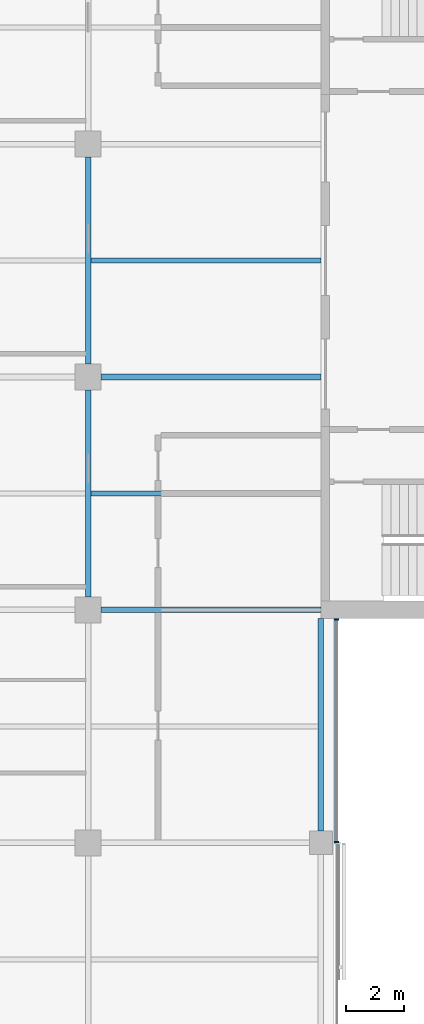
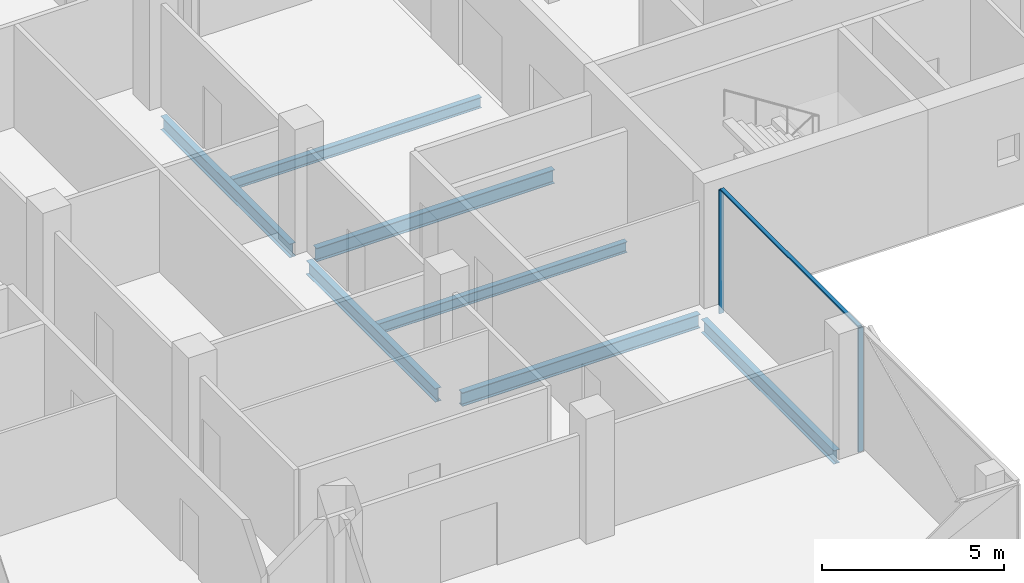
# One storey, part 4 of 16: 7 beams, 3 members, 1 element without a shape of its own.
"""IFC4 building model written with IfcOpenShell, lengths in metres."""

from ifc_helpers import new_model, si_unit, direction, frame, origin, origin_2d, place, context, subcontext, project, spatial, rectangle, i_section, extrude, material, material_profile, profile_set, type_object, element, aggregate, save


model = new_model("IFC4")

# Units and contexts
model_context = context("Model", 3, precision=1e-05, world=origin(), true_north=direction((0.0, 1.0)))
body_context = subcontext(model_context, "Body", "Model", "MODEL_VIEW")
ifc_project = project(units=[si_unit("LENGTHUNIT", "METRE"), si_unit("AREAUNIT", "SQUARE_METRE"), si_unit("VOLUMEUNIT", "CUBIC_METRE"), si_unit("PLANEANGLEUNIT", "RADIAN"), si_unit("MASSUNIT", "GRAM", prefix="KILO")], contexts=[model_context])

# Site, building, storey
site_placement = place(None, origin())
site = spatial("IfcSite", under=ifc_project, at=site_placement, CompositionType="ELEMENT")
building_placement = place(site_placement, origin())
building = spatial("IfcBuilding", under=site, at=building_placement, Name="Crosswind Convention Tower", CompositionType="ELEMENT")
storey_placement = place(building_placement, frame((0.0, 0.0, 208.300048828125)))
storey = spatial("IfcBuildingStorey", under=building, at=storey_placement, Name="L44", CompositionType="ELEMENT", Elevation=208.300048828125)

# Beams
ifc_material_1 = material(Name="Steel S355", Category="steel")
ifc_material_profile_1 = material_profile(ifc_material_1, i_section(OverallWidth=0.18994140625, OverallDepth=0.45361328125, WebThickness=0.008544921875, FlangeThickness=0.0126953125, FilletRadius=0.01025390625, at=origin_2d()), Name="UB 457x191x67")
ifc_profile_set_1 = profile_set([ifc_material_profile_1], Name="Steel S355")
beam_type_1 = type_object("IfcBeamType", Name="Edge beam UB 457x191x67", PredefinedType="SPANDREL", material=ifc_profile_set_1)
beam_placement = place(storey_placement, frame((137.0, 80.39990234375, -0.52685546875), z_axis=(0.0, 1.0, 0.0), x_axis=(-1.0, 0.0, 0.0)))
element("IfcBeam", 1, at=beam_placement, inside=storey, type_object=beam_type_1, Name="B16 L44 edge beam 12", PredefinedType="SPANDREL", context=body_context, shape_type="SweptSolid", body=[
    extrude(i_section(OverallWidth=0.18994140625, OverallDepth=0.45361328125, WebThickness=0.008544921875, FlangeThickness=0.0126953125, FilletRadius=0.01025390625, at=origin_2d()), origin(), (0.0, 0.0, 1.0), 7.300048828125),
])
ifc_material_profile_2 = material_profile(ifc_material_1, i_section(OverallWidth=0.1904296875, OverallDepth=0.457275390625, WebThickness=0.009033203125, FlangeThickness=0.014404296875, FilletRadius=0.01025390625, at=origin_2d()), Name="UB 457x191x75")
ifc_profile_set_2 = profile_set([ifc_material_profile_2], Name="Steel S355")
beam_type_2 = type_object("IfcBeamType", Name="Girder UB 457x191x75", PredefinedType="BEAM", material=ifc_profile_set_2)
for number, where, z_axis, x_axis, name in (
    (2, (129.0, 88.449951171875, -0.528564453125), (0.0, 1.0, 0.0), (-1.0, 0.0, 0.0), "B2 L44 girder 18"),
    (3, (129.0, 96.449951171875, -0.528564453125), (0.0, 1.0, 0.0), (-1.0, 0.0, 0.0), "B2 L44 girder 19"),
):
    element("IfcBeam", number, at=place(storey_placement, frame(where, z_axis=z_axis, x_axis=x_axis)), inside=storey, type_object=beam_type_2, Name=name, PredefinedType="BEAM", context=body_context, shape_type="SweptSolid", body=[
        extrude(i_section(OverallWidth=0.1904296875, OverallDepth=0.457275390625, WebThickness=0.009033203125, FlangeThickness=0.014404296875, FilletRadius=0.01025390625, at=origin_2d()), origin(), (0.0, 0.0, 1.0), 7.10009765625),
    ])
ifc_material_profile_3 = material_profile(ifc_material_1, i_section(OverallWidth=0.19140625, OverallDepth=0.460205078125, WebThickness=0.010009765625, FlangeThickness=0.01611328125, FilletRadius=0.01025390625, at=origin_2d()), Name="UB 457x191x82")
ifc_profile_set_3 = profile_set([ifc_material_profile_3], Name="Steel S355")
beam_type_3 = type_object("IfcBeamType", Name="Girder at core wall UB 457x191x82", PredefinedType="BEAM", material=ifc_profile_set_3)
for number, where, z_axis, x_axis, name in (
    (4, (129.449951171875, 88.0, -0.530029296875), (1.0, 0.0, 0.0), (0.0, 1.0, 0.0), "B23 L44 girder at core wall 5"),
    (5, (129.449951171875, 96.0, -0.530029296875), (1.0, 0.0, 0.0), (0.0, 1.0, 0.0), "B23 L44 girder at core wall 6"),
):
    element("IfcBeam", number, at=place(storey_placement, frame(where, z_axis=z_axis, x_axis=x_axis)), inside=storey, type_object=beam_type_3, Name=name, PredefinedType="BEAM", context=body_context, shape_type="SweptSolid", body=[
        extrude(i_section(OverallWidth=0.19140625, OverallDepth=0.460205078125, WebThickness=0.010009765625, FlangeThickness=0.01611328125, FilletRadius=0.01025390625, at=origin_2d()), origin(), (0.0, 0.0, 1.0), 7.550048828125),
    ])

# Curtain wall, members
ifc_material_2 = material(Name="Aluminium unitised curtain wall", Category="aluminium")
curtain_wall_type = type_object("IfcCurtainWallType", Name="CORE END SLOT WALL 160", PredefinedType="USERDEFINED", material=ifc_material_2)
curtain_wall_placement = place(storey_placement, origin())
curtain_wall = element("IfcCurtainWall", 6, at=curtain_wall_placement, inside=storey, type_object=curtain_wall_type, Name="CW6 L44 S-E.1-2 slot", ObjectType="UNITISED", PredefinedType="USERDEFINED")
ifc_material_3 = material(Name="Aluminium mullion", Category="aluminium")
ifc_material_profile_4 = material_profile(ifc_material_3, rectangle(XDim=0.159912109375, YDim=0.050048828125, at=origin_2d()), Name="AL 160X50")
ifc_profile_set_4 = profile_set([ifc_material_profile_4], Name="Aluminium mullion")
member_type_1 = type_object("IfcMemberType", Name="MULLION 50X160", PredefinedType="MULLION", material=ifc_profile_set_4)
member_1_placement = place(storey_placement, frame((137.530029296875, 80.02490234375, -0.300048828125), z_axis=(0.0, 0.0, 1.0), x_axis=(1.0, 0.0, 0.0)))
member_1 = element("IfcMember", 7, at=member_1_placement, type_object=member_type_1, Name="CW6 mullion 1", PredefinedType="MULLION", context=body_context, shape_type="SweptSolid", body=[
    extrude(rectangle(XDim=0.159912109375, YDim=0.050048828125, at=origin_2d()), origin(), (0.0, 0.0, 1.0), 4.14990234375),
])
member_2_placement = place(storey_placement, frame((137.530029296875, 87.675048828125, -0.300048828125), z_axis=(0.0, 0.0, 1.0), x_axis=(1.0, 0.0, 0.0)))
member_2 = element("IfcMember", 8, at=member_2_placement, type_object=member_type_1, Name="CW6 mullion 2", PredefinedType="MULLION", context=body_context, shape_type="SweptSolid", body=[
    extrude(rectangle(XDim=0.159912109375, YDim=0.050048828125, at=origin_2d()), origin(), (0.0, 0.0, 1.0), 4.14990234375),
])

# Beams
ifc_material_profile_5 = material_profile(ifc_material_1, i_section(OverallWidth=0.172119140625, OverallDepth=0.358642578125, WebThickness=0.008056640625, FlangeThickness=0.012939453125, FilletRadius=0.01025390625, at=origin_2d()), Name="UB 356x171x57")
ifc_profile_set_5 = profile_set([ifc_material_profile_5], Name="Steel S355")
beam_type_4 = type_object("IfcBeamType", Name="Secondary beam UB 356x171x57", PredefinedType="JOIST", material=ifc_profile_set_5)
for number, where, z_axis, x_axis, name in (
    (9, (129.09521484375, 92.0, -0.479248046875), (1.0, 0.0, 0.0), (0.0, 1.0, 0.0), "B9 L44 secondary beam 17"),
    (10, (129.09521484375, 100.0, -0.479248046875), (1.0, 0.0, 0.0), (0.0, 1.0, 0.0), "B9 L44 secondary beam 18"),
):
    element("IfcBeam", number, at=place(storey_placement, frame(where, z_axis=z_axis, x_axis=x_axis)), inside=storey, type_object=beam_type_4, Name=name, PredefinedType="JOIST", context=body_context, shape_type="SweptSolid", body=[
        extrude(i_section(OverallWidth=0.172119140625, OverallDepth=0.358642578125, WebThickness=0.008056640625, FlangeThickness=0.012939453125, FilletRadius=0.01025390625, at=origin_2d()), origin(), (0.0, 0.0, 1.0), 7.90478515625),
    ])

# Member
ifc_material_4 = material(Name="Aluminium transom", Category="aluminium")
ifc_material_profile_6 = material_profile(ifc_material_4, rectangle(XDim=0.1201171875, YDim=0.050048828125, at=origin_2d()), Name="AL 120X50")
ifc_profile_set_6 = profile_set([ifc_material_profile_6], Name="Aluminium transom")
member_type_2 = type_object("IfcMemberType", Name="TRANSOM 50X120", PredefinedType="USERDEFINED", material=ifc_profile_set_6)
member_3_placement = place(storey_placement, frame((137.530029296875, 80.050048828125, 3.875), z_axis=(0.0, 1.0, 0.0), x_axis=(-1.0, 0.0, 0.0)))
member_3 = element("IfcMember", 11, at=member_3_placement, type_object=member_type_2, Name="CW6 transom", ObjectType="TRANSOM", PredefinedType="USERDEFINED", context=body_context, shape_type="SweptSolid", body=[
    extrude(rectangle(XDim=0.1201171875, YDim=0.050048828125, at=origin_2d()), origin(), (0.0, 0.0, 1.0), 7.599853515625),
])

aggregate(curtain_wall, [member_1, member_2, member_3])

save(model, "model.ifc")
